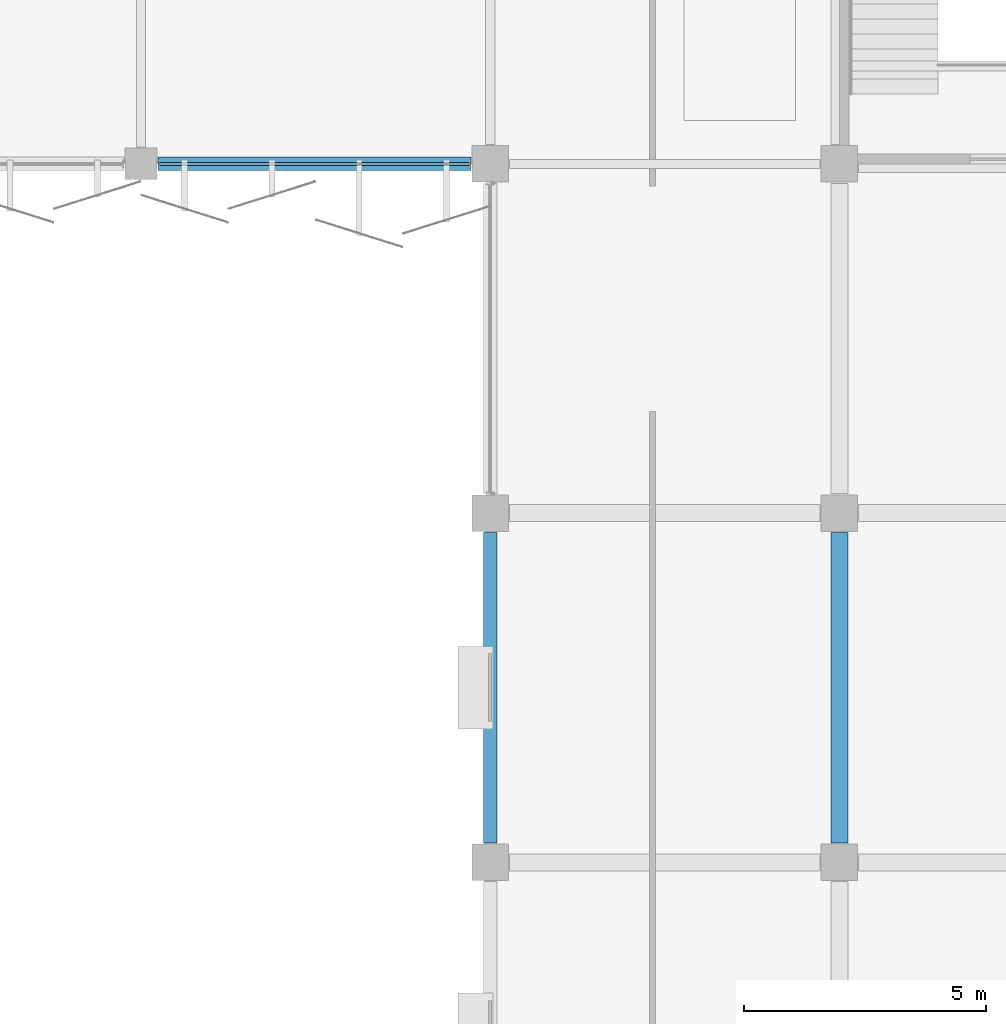
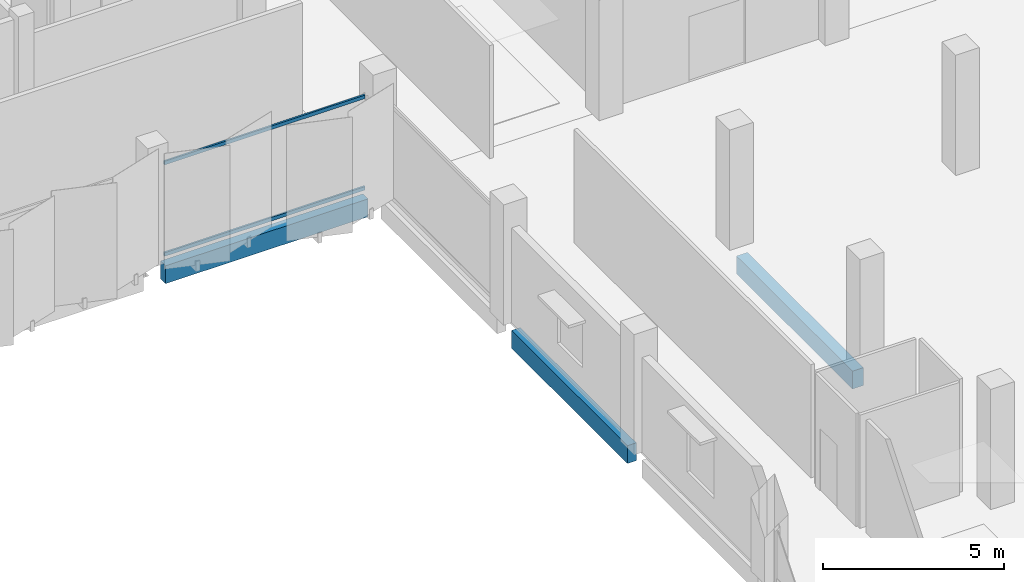
# One storey, part 52 of 108: 3 beams, 2 members, 1 element without a shape of its own.
"""IFC4 building model written with IfcOpenShell, lengths in metres."""

from ifc_helpers import new_model, si_unit, direction, frame, origin, origin_2d, place, context, subcontext, project, spatial, rectangle, hollow_rectangle, extrude, material, layer, layer_set, material_profile, profile_set, type_object, element, aggregate, save


model = new_model("IFC4")

# Units and contexts
model_context = context("Model", 3, precision=1e-05, world=origin(), true_north=direction((0.0, 1.0)))
body_context = subcontext(model_context, "Body", "Model", "MODEL_VIEW")
ifc_project = project(units=[si_unit("LENGTHUNIT", "METRE"), si_unit("AREAUNIT", "SQUARE_METRE"), si_unit("VOLUMEUNIT", "CUBIC_METRE"), si_unit("PLANEANGLEUNIT", "RADIAN"), si_unit("MASSUNIT", "GRAM", prefix="KILO")], contexts=[model_context])

# Site, building, storey
site_placement = place(None, origin())
site = spatial("IfcSite", under=ifc_project, at=site_placement, CompositionType="ELEMENT")
building_placement = place(site_placement, origin())
building = spatial("IfcBuilding", under=site, at=building_placement, Name="Kangsadwip Square Police Headquarters", CompositionType="ELEMENT")
storey_placement = place(building_placement, frame((0.0, 0.0, 9.449951171875)))
storey = spatial("IfcBuildingStorey", under=building, at=storey_placement, Name="L02", CompositionType="ELEMENT", Elevation=9.449951171875)

# Curtain wall, members
ifc_material_1 = material(Name="Thermally broken anodised aluminium AW-6063-T6", Category="aluminium")
ifc_layer = layer(ifc_material_1, 0.159912109375)
ifc_layer_set = layer_set([ifc_layer], Name="Thermally broken anodised aluminium AW-6063-T6")
curtain_wall_type = type_object("IfcCurtainWallType", Name="CourtScreen6510x3200", PredefinedType="USERDEFINED", material=ifc_layer_set)
curtain_wall_placement = place(storey_placement, origin())
curtain_wall = element("IfcCurtainWall", 1, at=curtain_wall_placement, inside=storey, type_object=curtain_wall_type, Name="Curtain Wall CW-L02-1371-0936", ObjectType="GLAZED_SCREEN", PredefinedType="USERDEFINED")
ifc_material_2 = material(Name="Thermally broken anodised aluminium AW-6063-T6", Category="aluminium")
ifc_material_profile_1 = material_profile(ifc_material_2, hollow_rectangle(XDim=0.06005859375, YDim=0.1201171875, WallThickness=0.00390625, at=origin_2d()), Name="CWT 120X60X4")
ifc_profile_set_1 = profile_set([ifc_material_profile_1], Name="Thermally broken anodised aluminium AW-6063-T6")
member_type = type_object("IfcMemberType", Name="CwTransom120x55", PredefinedType="USERDEFINED", material=ifc_profile_set_1)
member_1_placement = place(storey_placement, frame((137.179931640625, 93.60009765625, 0.06005859375), z_axis=(1.0, 0.0, 0.0), x_axis=(0.0, 1.0, 0.0)))
member_1 = element("IfcMember", 2, at=member_1_placement, type_object=member_type, Name="CW-19 transom 1.1", ObjectType="TRANSOM", PredefinedType="USERDEFINED", context=body_context, shape_type="SweptSolid", body=[
    extrude(hollow_rectangle(XDim=0.06005859375, YDim=0.1201171875, WallThickness=0.00390625, at=origin_2d()), origin(), (0.0, 0.0, 1.0), 6.39013671875),
])
member_2_placement = place(storey_placement, frame((137.179931640625, 93.60009765625, 3.14013671875), z_axis=(1.0, 0.0, 0.0), x_axis=(0.0, 1.0, 0.0)))
member_2 = element("IfcMember", 3, at=member_2_placement, type_object=member_type, Name="CW-19 transom 1.2", ObjectType="TRANSOM", PredefinedType="USERDEFINED", context=body_context, shape_type="SweptSolid", body=[
    extrude(hollow_rectangle(XDim=0.06005859375, YDim=0.1201171875, WallThickness=0.00390625, at=origin_2d()), origin(), (0.0, 0.0, 1.0), 6.39013671875),
])
aggregate(curtain_wall, [member_1, member_2])

# Beams
ifc_material_3 = material(Name="Concrete M35 (35 MPa)", Category="concrete")
ifc_material_profile_2 = material_profile(ifc_material_3, rectangle(XDim=0.35009765625, YDim=0.60009765625, at=origin_2d()), Name="RC BM 600X350")
ifc_profile_set_2 = profile_set([ifc_material_profile_2], Name="Concrete M35 (35 MPa)")
beam_type_1 = type_object("IfcBeamType", Name="RcBeam600x350", PredefinedType="BEAM", material=ifc_profile_set_2)
beam_1_placement = place(storey_placement, frame((151.199951171875, 79.60009765625, -0.5400390625), z_axis=(0.0, 1.0, 0.0), x_axis=(-1.0, 0.0, 0.0)))
element("IfcBeam", 4, at=beam_1_placement, inside=storey, type_object=beam_type_1, Name="Beam BM-L02-Y-21-11", PredefinedType="BEAM", context=body_context, shape_type="SweptSolid", body=[
    extrude(rectangle(XDim=0.35009765625, YDim=0.60009765625, at=origin_2d()), origin(), (0.0, 0.0, 1.0), 6.39990234375),
])
ifc_material_4 = material(Name="Concrete M40 (40 MPa)", Category="concrete")
ifc_material_profile_3 = material_profile(ifc_material_4, rectangle(XDim=0.280029296875, YDim=0.60009765625, at=origin_2d()), Name="RC SPN 600X280")
ifc_profile_set_3 = profile_set([ifc_material_profile_3], Name="Concrete M40 (40 MPa)")
beam_type_2 = type_object("IfcBeamType", Name="RcSpandrel600x280", PredefinedType="SPANDREL", material=ifc_profile_set_3)
beam_2_placement = place(storey_placement, frame((137.14990234375, 93.60009765625, -0.5400390625), z_axis=(1.0, 0.0, 0.0), x_axis=(0.0, 1.0, 0.0)))
element("IfcBeam", 5, at=beam_2_placement, inside=storey, type_object=beam_type_2, Name="Beam BM-L02-X-19-13", PredefinedType="SPANDREL", context=body_context, shape_type="SweptSolid", body=[
    extrude(rectangle(XDim=0.280029296875, YDim=0.60009765625, at=origin_2d()), origin(), (0.0, 0.0, 1.0), 6.4501953125),
])
beam_3_placement = place(storey_placement, frame((144.0, 79.60009765625, -0.5400390625), z_axis=(0.0, 1.0, 0.0), x_axis=(-1.0, 0.0, 0.0)))
element("IfcBeam", 6, at=beam_3_placement, inside=storey, type_object=beam_type_2, Name="Beam BM-L02-Y-20-11", PredefinedType="SPANDREL", context=body_context, shape_type="SweptSolid", body=[
    extrude(rectangle(XDim=0.280029296875, YDim=0.60009765625, at=origin_2d()), origin(), (0.0, 0.0, 1.0), 6.39990234375),
])

save(model, "model.ifc")
